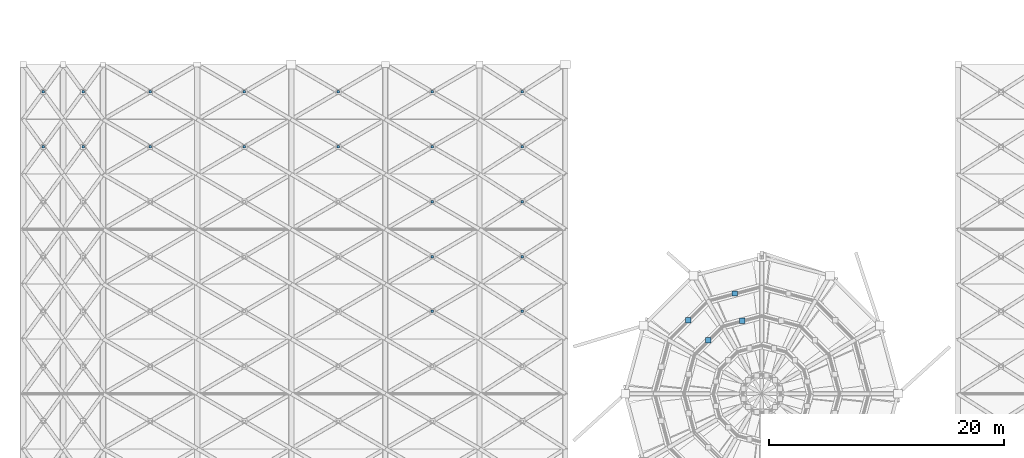
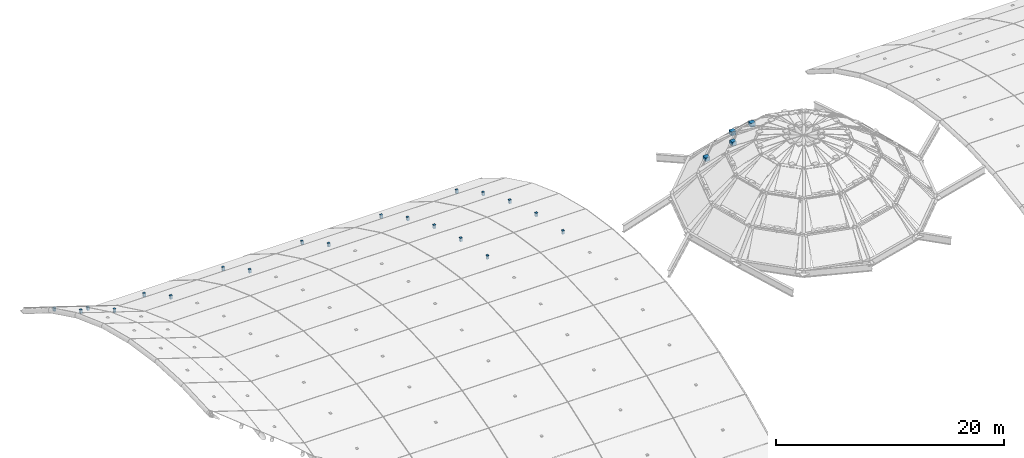
# One storey, part 18 of 21: 24 discrete accessories.
"""IFC4 building model written with IfcOpenShell, lengths in metres."""

from ifc_helpers import new_model, si_unit, direction, frame, origin, origin_2d, place, context, subcontext, project, spatial, rectangle, extrude, material, type_object, element, save


model = new_model("IFC4")

# Units and contexts
model_context = context("Model", 3, precision=1e-05, world=origin(), true_north=direction((0.0, 1.0)))
body_context = subcontext(model_context, "Body", "Model", "MODEL_VIEW")
ifc_project = project(units=[si_unit("LENGTHUNIT", "METRE"), si_unit("AREAUNIT", "SQUARE_METRE"), si_unit("VOLUMEUNIT", "CUBIC_METRE"), si_unit("PLANEANGLEUNIT", "RADIAN"), si_unit("MASSUNIT", "GRAM", prefix="KILO")], contexts=[model_context])

# Site, building, storey
site_placement = place(None, origin())
site = spatial("IfcSite", under=ifc_project, at=site_placement, CompositionType="ELEMENT")
building_placement = place(site_placement, origin())
building = spatial("IfcBuilding", under=site, at=building_placement, Name="Solmirada Galleria", CompositionType="ELEMENT")
storey_placement = place(building_placement, frame((0.0, 0.0, 37.5)))
storey = spatial("IfcBuildingStorey", under=building, at=storey_placement, Name="RF", CompositionType="ELEMENT", Elevation=37.5)

# Discrete accessories
ifc_material = material(Name="Steel S355 / ASTM A500 Grade C", Category="steel")
discrete_accessory_type = type_object("IfcDiscreteAccessoryType", Name="ACC-GLAZ-SHOE", PredefinedType="BRACKET", material=ifc_material)
for number, where, z_axis, x_axis, name in (
    (1, (34.89990234375, 81.0, -3.697021484375), (0.0, 0.0, 1.0), (1.0, 0.0, 0.0), "Barrel gridshell glazing spider bracket W00-10"),
    (2, (34.89990234375, 85.666748046875, -6.290771484375), (0.0, 0.0, 1.0), (1.0, 0.0, 0.0), "Barrel gridshell glazing spider bracket W00-11"),
    (3, (38.300048828125, 81.0, -4.797119140625), (0.0, 0.0, 1.0), (1.0, 0.0, 0.0), "Barrel gridshell glazing spider bracket W01-10"),
    (4, (38.300048828125, 85.666748046875, -7.390869140625), (0.0, 0.0, 1.0), (1.0, 0.0, 0.0), "Barrel gridshell glazing spider bracket W01-11"),
    (5, (44.0, 81.0, -5.34716796875), (0.0, 0.0, 1.0), (1.0, 0.0, 0.0), "Barrel gridshell glazing spider bracket W02-10"),
    (6, (44.0, 85.666748046875, -7.94091796875), (0.0, 0.0, 1.0), (1.0, 0.0, 0.0), "Barrel gridshell glazing spider bracket W02-11"),
    (7, (52.0, 81.0, -5.34716796875), (0.0, 0.0, 1.0), (1.0, 0.0, 0.0), "Barrel gridshell glazing spider bracket W03-10"),
    (8, (52.0, 85.666748046875, -7.94091796875), (0.0, 0.0, 1.0), (1.0, 0.0, 0.0), "Barrel gridshell glazing spider bracket W03-11"),
    (9, (60.0, 81.0, -5.34716796875), (0.0, 0.0, 1.0), (1.0, 0.0, 0.0), "Barrel gridshell glazing spider bracket W04-10"),
    (10, (60.0, 85.666748046875, -7.94091796875), (0.0, 0.0, 1.0), (1.0, 0.0, 0.0), "Barrel gridshell glazing spider bracket W04-11"),
    (11, (68.0, 67.0, -0.97998046875), (0.0, 0.0, 1.0), (1.0, 0.0, 0.0), "Barrel gridshell glazing spider bracket W05-07"),
    (12, (68.0, 71.666748046875, -1.920654296875), (0.0, 0.0, 1.0), (1.0, 0.0, 0.0), "Barrel gridshell glazing spider bracket W05-08"),
    (13, (68.0, 76.333251953125, -3.3623046875), (0.0, 0.0, 1.0), (1.0, 0.0, 0.0), "Barrel gridshell glazing spider bracket W05-09"),
    (14, (68.0, 81.0, -5.34716796875), (0.0, 0.0, 1.0), (1.0, 0.0, 0.0), "Barrel gridshell glazing spider bracket W05-10"),
    (15, (68.0, 85.666748046875, -7.94091796875), (0.0, 0.0, 1.0), (1.0, 0.0, 0.0), "Barrel gridshell glazing spider bracket W05-11"),
    (16, (75.64990234375, 67.0, -0.97998046875), (0.0, 0.0, 1.0), (1.0, 0.0, 0.0), "Barrel gridshell glazing spider bracket W06-07"),
    (17, (75.64990234375, 71.666748046875, -1.920654296875), (0.0, 0.0, 1.0), (1.0, 0.0, 0.0), "Barrel gridshell glazing spider bracket W06-08"),
    (18, (75.64990234375, 76.333251953125, -3.3623046875), (0.0, 0.0, 1.0), (1.0, 0.0, 0.0), "Barrel gridshell glazing spider bracket W06-09"),
    (19, (75.64990234375, 81.0, -5.34716796875), (0.0, 0.0, 1.0), (1.0, 0.0, 0.0), "Barrel gridshell glazing spider bracket W06-10"),
    (20, (75.64990234375, 85.666748046875, -7.94091796875), (0.0, 0.0, 1.0), (1.0, 0.0, 0.0), "Barrel gridshell glazing spider bracket W06-11"),
):
    element("IfcDiscreteAccessory", number, at=place(storey_placement, frame(where, z_axis=z_axis, x_axis=x_axis)), inside=storey, type_object=discrete_accessory_type, Name=name, PredefinedType="BRACKET", context=body_context, shape_type="SweptSolid", body=[
        extrude(rectangle(XDim=0.219970703125, YDim=0.219970703125, at=origin_2d()), origin(), (0.0, 0.0, 1.0), 0.3701171875),
    ])
for number, where, z_axis, x_axis, name in (
    (21, (93.714111328125, 68.531005859375, 2.41748046875), (0.0, 0.0, 1.0), (1.0, 0.0, 0.0), "Atrium dome glazing spider bracket 4.1"),
    (22, (89.7548828125, 66.2451171875, 2.41748046875), (0.0, 0.0, 1.0), (1.0, 0.0, 0.0), "Atrium dome glazing spider bracket 5.1"),
    (23, (94.337646484375, 66.2041015625, 4.526123046875), (0.0, 0.0, 1.0), (1.0, 0.0, 0.0), "Atrium dome glazing spider bracket 4.2"),
    (24, (91.458251953125, 64.541748046875, 4.526123046875), (0.0, 0.0, 1.0), (1.0, 0.0, 0.0), "Atrium dome glazing spider bracket 5.2"),
):
    element("IfcDiscreteAccessory", number, at=place(storey_placement, frame(where, z_axis=z_axis, x_axis=x_axis)), inside=storey, type_object=discrete_accessory_type, Name=name, PredefinedType="BRACKET", context=body_context, shape_type="SweptSolid", body=[
        extrude(rectangle(XDim=0.449951171875, YDim=0.449951171875, at=origin_2d()), origin(), (0.0, 0.0, 1.0), 0.419921875),
    ])

save(model, "model.ifc")
